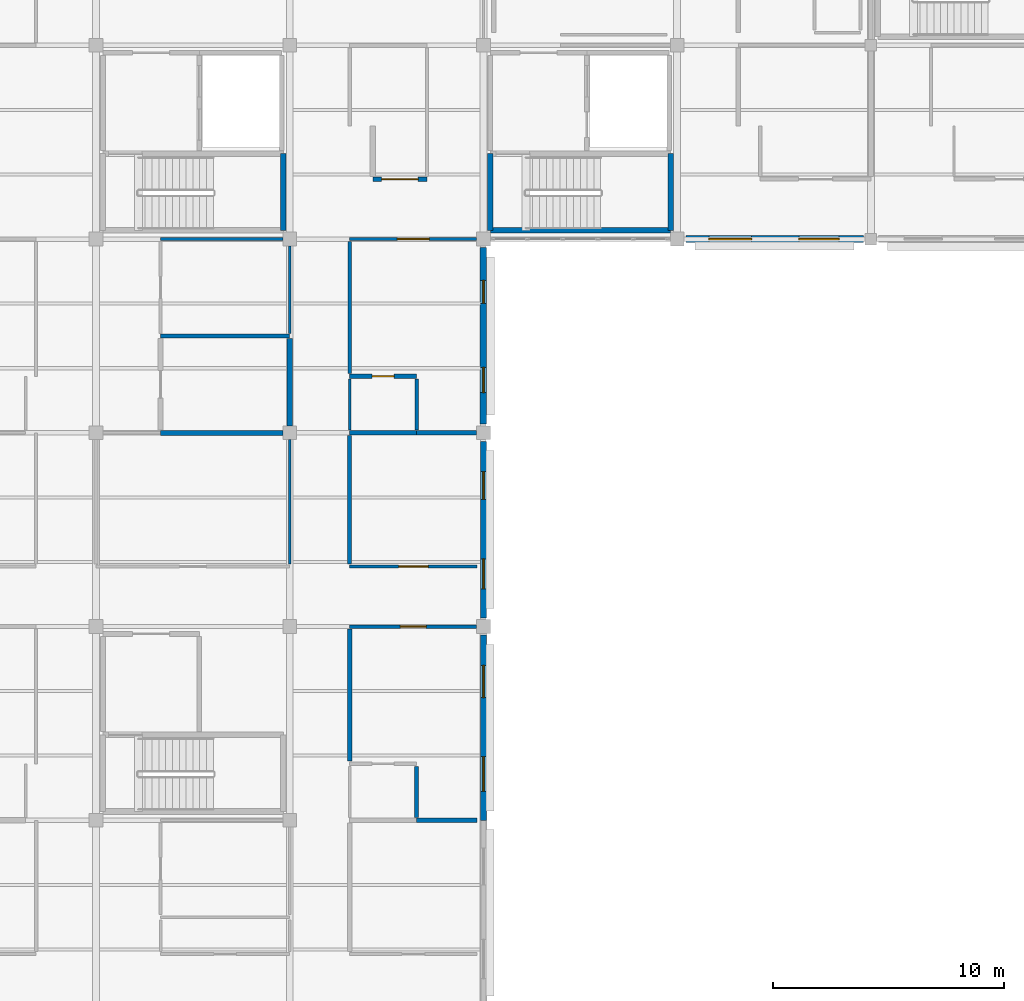
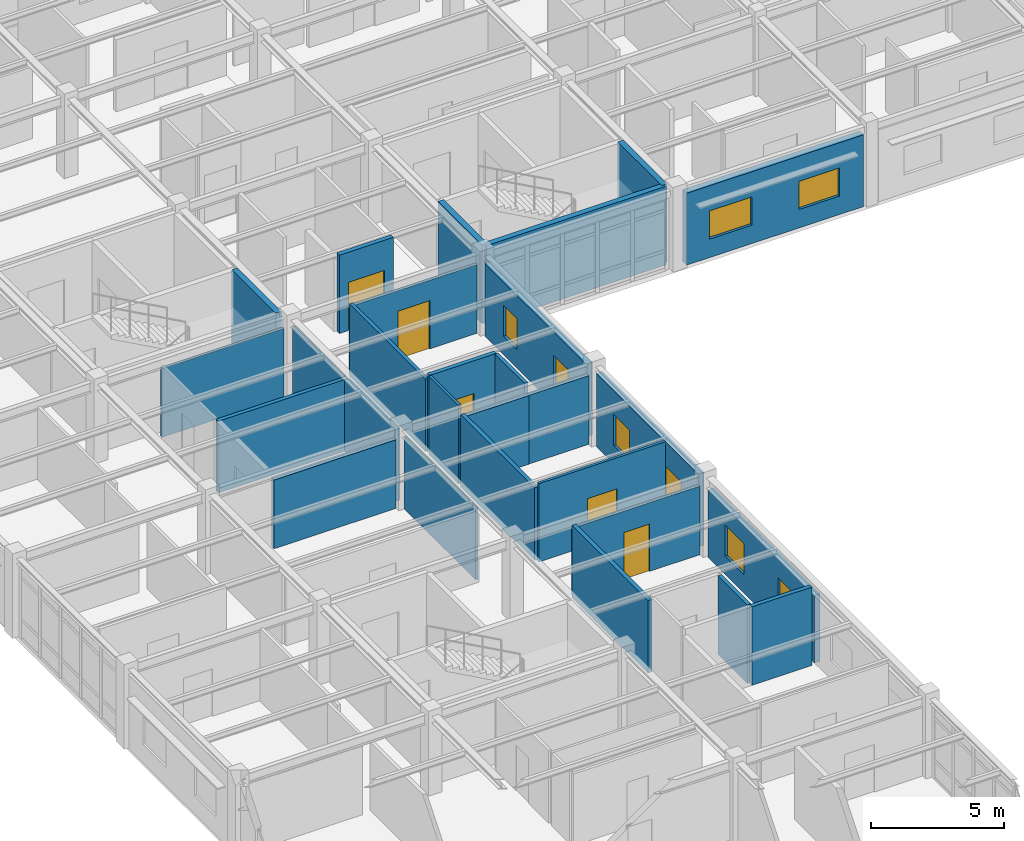
# One storey, part 55 of 70: 28 walls, 8 windows, 5 doors, 13 openings.
"""IFC4 building model written with IfcOpenShell, lengths in metres."""

from ifc_helpers import new_model, si_unit, direction, frame, frame_2d, origin, place, context, subcontext, project, spatial, rectangle, extrude, material, layer, layer_set, type_object, element, fill, save


model = new_model("IFC4")

# Units and contexts
model_context = context("Model", 3, precision=1e-05, world=origin(), true_north=direction((0.0, 1.0)))
body_context = subcontext(model_context, "Body", "Model", "MODEL_VIEW")
ifc_project = project(units=[si_unit("LENGTHUNIT", "METRE"), si_unit("AREAUNIT", "SQUARE_METRE"), si_unit("VOLUMEUNIT", "CUBIC_METRE"), si_unit("PLANEANGLEUNIT", "RADIAN"), si_unit("MASSUNIT", "GRAM", prefix="KILO")], contexts=[model_context])

# Site, building, storey
site_placement = place(None, origin())
site = spatial("IfcSite", under=ifc_project, at=site_placement, CompositionType="ELEMENT")
building_placement = place(site_placement, origin())
building = spatial("IfcBuilding", under=site, at=building_placement, Name="Bramfleet General Hospital", CompositionType="ELEMENT")
storey_placement = place(building_placement, frame((0.0, 0.0, 22.5)))
storey = spatial("IfcBuildingStorey", under=building, at=storey_placement, Name="L05", CompositionType="ELEMENT", Elevation=22.5)

# Wall, openings, windows
ifc_material_1 = material(Name="Precast concrete C40/50", Category="concrete")
ifc_layer_1 = layer(ifc_material_1, 0.294921875, Name="WT-EW-05")
ifc_layer_set_1 = layer_set([ifc_layer_1], Name="Precast concrete C40/50")
wall_type_1 = type_object("IfcWallType", Name="WT-EW-05", PredefinedType="SOLIDWALL", material=ifc_layer_set_1)
wall_1_placement = place(storey_placement, frame((134.074951171875, 92.39990234375, 0.0), z_axis=(0.0, 0.0, 1.0), x_axis=(-1.0, 0.0, 0.0)))
wall_1 = element("IfcWall", 1, at=wall_1_placement, inside=storey, type_object=wall_type_1, Name="L05 Exterior Wall 360", PredefinedType="SOLIDWALL", context=body_context, shape_type="SweptSolid", body=[
    extrude(rectangle(XDim=7.699951171875, YDim=0.294921875, at=frame_2d((3.85009765625, 0.0))), origin(), (0.0, 0.0, 1.0), 3.31005859375),
])
opening_1_placement = place(wall_1_placement, frame((1.050048828125, 0.0, 0.85009765625)))
opening_1 = element("IfcOpeningElement", 2, at=opening_1_placement, cuts=wall_1, Name="Opening W-09", PredefinedType="OPENING", context=body_context, shape_type="SweptSolid", body=[
    extrude(rectangle(XDim=1.75, YDim=1.300048828125, at=frame_2d((0.875, 0.64990234375))), frame((0.0, 0.157470703125, 0.0), z_axis=(0.0, -1.0, 0.0), x_axis=(1.0, 0.0, 0.0)), (0.0, 0.0, 1.0), 0.31494140625),
])
opening_2_placement = place(wall_1_placement, frame((4.85009765625, 0.0, 0.85009765625)))
opening_2 = element("IfcOpeningElement", 3, at=opening_2_placement, cuts=wall_1, Name="Opening W-10", PredefinedType="OPENING", context=body_context, shape_type="SweptSolid", body=[
    extrude(rectangle(XDim=1.85009765625, YDim=1.300048828125, at=frame_2d((0.925048828125, 0.64990234375))), frame((0.0, 0.157470703125, 0.0), z_axis=(0.0, -1.0, 0.0), x_axis=(1.0, 0.0, 0.0)), (0.0, 0.0, 1.0), 0.31494140625),
])
ifc_material_2 = material(Name="Anodised aluminium and low-E triple glazing", Category="aluminium")
window_type_1 = type_object("IfcWindowType", Name="WIN-W-09", PartitioningType="SINGLE_PANEL", PredefinedType="WINDOW", material=ifc_material_2)
window_1_placement = place(opening_1_placement, origin())
window_1 = element("IfcWindow", 4, at=window_1_placement, inside=storey, type_object=window_type_1, Name="L05 Facade Window WIN-L05-360-1", OverallHeight=1.300048828125, OverallWidth=1.75, PartitioningType="SINGLE_PANEL", PredefinedType="WINDOW", context=body_context, shape_type="SweptSolid", body=[
    extrude(rectangle(XDim=1.75, YDim=1.300048828125, at=frame_2d((0.875, 0.64990234375))), frame((0.0, 0.030029296875, 0.0), z_axis=(0.0, -1.0, 0.0), x_axis=(1.0, 0.0, 0.0)), (0.0, 0.0, 1.0), 0.06005859375),
])
fill(opening_1, window_1)
window_type_2 = type_object("IfcWindowType", Name="WIN-W-10", PartitioningType="SINGLE_PANEL", PredefinedType="WINDOW", material=ifc_material_2)
window_2_placement = place(opening_2_placement, origin())
window_2 = element("IfcWindow", 5, at=window_2_placement, inside=storey, type_object=window_type_2, Name="L05 Facade Window WIN-L05-360-2", OverallHeight=1.300048828125, OverallWidth=1.85009765625, PartitioningType="SINGLE_PANEL", PredefinedType="WINDOW", context=body_context, shape_type="SweptSolid", body=[
    extrude(rectangle(XDim=1.85009765625, YDim=1.300048828125, at=frame_2d((0.925048828125, 0.64990234375))), frame((0.0, 0.030029296875, 0.0), z_axis=(0.0, -1.0, 0.0), x_axis=(1.0, 0.0, 0.0)), (0.0, 0.0, 1.0), 0.06005859375),
])
fill(opening_2, window_2)

ifc_layer_2 = layer(ifc_material_1, 0.280029296875, Name="WT-EW-06")
ifc_layer_set_2 = layer_set([ifc_layer_2], Name="Precast concrete C40/50")
wall_type_2 = type_object("IfcWallType", Name="WT-EW-06", PredefinedType="SOLIDWALL", material=ifc_layer_set_2)
wall_2_placement = place(storey_placement, frame((117.60009765625, 92.02490234375, 0.0), z_axis=(0.0, 0.0, 1.0), x_axis=(0.0, -1.0, 0.0)))
wall_2 = element("IfcWall", 6, at=wall_2_placement, inside=storey, type_object=wall_type_2, Name="L05 Exterior Wall 361", PredefinedType="SOLIDWALL", context=body_context, shape_type="SweptSolid", body=[
    extrude(rectangle(XDim=7.64990234375, YDim=0.280029296875, at=frame_2d((3.824951171875, 0.0))), origin(), (0.0, 0.0, 1.0), 3.340087890625),
])
opening_3_placement = place(wall_2_placement, frame((1.41259765625, 0.0, 0.85009765625)))
opening_3 = element("IfcOpeningElement", 7, at=opening_3_placement, cuts=wall_2, Name="Opening W-11", PredefinedType="OPENING", context=body_context, shape_type="SweptSolid", body=[
    extrude(rectangle(XDim=1.0, YDim=1.419921875, at=frame_2d((0.5, 0.7099609375))), frame((0.0, 0.14990234375, 0.0), z_axis=(0.0, -1.0, 0.0), x_axis=(1.0, 0.0, 0.0)), (0.0, 0.0, 1.0), 0.300048828125),
])
opening_4_placement = place(wall_2_placement, frame((5.1875, 0.0, 0.85009765625)))
opening_4 = element("IfcOpeningElement", 8, at=opening_4_placement, cuts=wall_2, Name="Opening W-12", PredefinedType="OPENING", context=body_context, shape_type="SweptSolid", body=[
    extrude(rectangle(XDim=1.10009765625, YDim=1.419921875, at=frame_2d((0.550048828125, 0.7099609375))), frame((0.0, 0.14990234375, 0.0), z_axis=(0.0, -1.0, 0.0), x_axis=(1.0, 0.0, 0.0)), (0.0, 0.0, 1.0), 0.300048828125),
])
window_type_3 = type_object("IfcWindowType", Name="WIN-W-11", PartitioningType="SINGLE_PANEL", PredefinedType="WINDOW", material=ifc_material_2)
window_3_placement = place(opening_3_placement, origin())
window_3 = element("IfcWindow", 9, at=window_3_placement, inside=storey, type_object=window_type_3, Name="L05 Facade Window WIN-L05-361-1", OverallHeight=1.419921875, OverallWidth=1.0, PartitioningType="SINGLE_PANEL", PredefinedType="WINDOW", context=body_context, shape_type="SweptSolid", body=[
    extrude(rectangle(XDim=1.0, YDim=1.419921875, at=frame_2d((0.5, 0.7099609375))), frame((0.0, 0.030029296875, 0.0), z_axis=(0.0, -1.0, 0.0), x_axis=(1.0, 0.0, 0.0)), (0.0, 0.0, 1.0), 0.06005859375),
])
fill(opening_3, window_3)
window_type_4 = type_object("IfcWindowType", Name="WIN-W-12", PartitioningType="SINGLE_PANEL", PredefinedType="WINDOW", material=ifc_material_2)
window_4_placement = place(opening_4_placement, origin())
window_4 = element("IfcWindow", 10, at=window_4_placement, inside=storey, type_object=window_type_4, Name="L05 Facade Window WIN-L05-361-2", OverallHeight=1.419921875, OverallWidth=1.10009765625, PartitioningType="SINGLE_PANEL", PredefinedType="WINDOW", context=body_context, shape_type="SweptSolid", body=[
    extrude(rectangle(XDim=1.10009765625, YDim=1.419921875, at=frame_2d((0.550048828125, 0.7099609375))), frame((0.0, 0.030029296875, 0.0), z_axis=(0.0, -1.0, 0.0), x_axis=(1.0, 0.0, 0.0)), (0.0, 0.0, 1.0), 0.06005859375),
])
fill(opening_4, window_4)

ifc_layer_3 = layer(ifc_material_1, 0.264892578125, Name="WT-EW-07")
ifc_layer_set_3 = layer_set([ifc_layer_3], Name="Precast concrete C40/50")
wall_type_3 = type_object("IfcWallType", Name="WT-EW-07", PredefinedType="SOLIDWALL", material=ifc_layer_set_3)
wall_3_placement = place(storey_placement, frame((117.60009765625, 83.625, 0.0), z_axis=(0.0, 0.0, 1.0), x_axis=(0.0, -1.0, 0.0)))
wall_3 = element("IfcWall", 11, at=wall_3_placement, inside=storey, type_object=wall_type_3, Name="L05 Exterior Wall 362", PredefinedType="SOLIDWALL", context=body_context, shape_type="SweptSolid", body=[
    extrude(rectangle(XDim=7.64990234375, YDim=0.264892578125, at=frame_2d((3.824951171875, 0.0))), origin(), (0.0, 0.0, 1.0), 3.3798828125),
])
opening_5_placement = place(wall_3_placement, frame((1.3125, 0.0, 0.85009765625)))
opening_5 = element("IfcOpeningElement", 12, at=opening_5_placement, cuts=wall_3, Name="Opening W-13", PredefinedType="OPENING", context=body_context, shape_type="SweptSolid", body=[
    extrude(rectangle(XDim=1.199951171875, YDim=1.419921875, at=frame_2d((0.60009765625, 0.7099609375))), frame((0.0, 0.142333984375, 0.0), z_axis=(0.0, -1.0, 0.0), x_axis=(1.0, 0.0, 0.0)), (0.0, 0.0, 1.0), 0.284912109375),
])
opening_6_placement = place(wall_3_placement, frame((5.08740234375, 0.0, 0.85009765625)))
opening_6 = element("IfcOpeningElement", 13, at=opening_6_placement, cuts=wall_3, Name="Opening W-14", PredefinedType="OPENING", context=body_context, shape_type="SweptSolid", body=[
    extrude(rectangle(XDim=1.300048828125, YDim=1.419921875, at=frame_2d((0.64990234375, 0.7099609375))), frame((0.0, 0.142333984375, 0.0), z_axis=(0.0, -1.0, 0.0), x_axis=(1.0, 0.0, 0.0)), (0.0, 0.0, 1.0), 0.284912109375),
])
window_type_5 = type_object("IfcWindowType", Name="WIN-W-13", PartitioningType="SINGLE_PANEL", PredefinedType="WINDOW", material=ifc_material_2)
window_5_placement = place(opening_5_placement, origin())
window_5 = element("IfcWindow", 14, at=window_5_placement, inside=storey, type_object=window_type_5, Name="L05 Facade Window WIN-L05-362-1", OverallHeight=1.419921875, OverallWidth=1.199951171875, PartitioningType="SINGLE_PANEL", PredefinedType="WINDOW", context=body_context, shape_type="SweptSolid", body=[
    extrude(rectangle(XDim=1.199951171875, YDim=1.419921875, at=frame_2d((0.60009765625, 0.7099609375))), frame((0.0, 0.030029296875, 0.0), z_axis=(0.0, -1.0, 0.0), x_axis=(1.0, 0.0, 0.0)), (0.0, 0.0, 1.0), 0.06005859375),
])
fill(opening_5, window_5)
window_type_6 = type_object("IfcWindowType", Name="WIN-W-14", PartitioningType="SINGLE_PANEL", PredefinedType="WINDOW", material=ifc_material_2)
window_6_placement = place(opening_6_placement, origin())
window_6 = element("IfcWindow", 15, at=window_6_placement, inside=storey, type_object=window_type_6, Name="L05 Facade Window WIN-L05-362-2", OverallHeight=1.419921875, OverallWidth=1.300048828125, PartitioningType="SINGLE_PANEL", PredefinedType="WINDOW", context=body_context, shape_type="SweptSolid", body=[
    extrude(rectangle(XDim=1.300048828125, YDim=1.419921875, at=frame_2d((0.64990234375, 0.7099609375))), frame((0.0, 0.030029296875, 0.0), z_axis=(0.0, -1.0, 0.0), x_axis=(1.0, 0.0, 0.0)), (0.0, 0.0, 1.0), 0.06005859375),
])
fill(opening_6, window_6)

ifc_layer_4 = layer(ifc_material_1, 0.25, Name="WT-EW-08")
ifc_layer_set_4 = layer_set([ifc_layer_4], Name="Precast concrete C40/50")
wall_type_4 = type_object("IfcWallType", Name="WT-EW-08", PredefinedType="SOLIDWALL", material=ifc_layer_set_4)
wall_4_placement = place(storey_placement, frame((117.60009765625, 75.22509765625, 0.0), z_axis=(0.0, 0.0, 1.0), x_axis=(0.0, -1.0, 0.0)))
wall_4 = element("IfcWall", 16, at=wall_4_placement, inside=storey, type_object=wall_type_4, Name="L05 Exterior Wall 363", PredefinedType="SOLIDWALL", context=body_context, shape_type="SweptSolid", body=[
    extrude(rectangle(XDim=8.025146484375, YDim=0.25, at=frame_2d((4.0126953125, 0.0))), origin(), (0.0, 0.0, 1.0), 3.110107421875),
])
opening_7_placement = place(wall_4_placement, frame((1.30615234375, 0.0, 0.85009765625)))
opening_7 = element("IfcOpeningElement", 17, at=opening_7_placement, cuts=wall_4, Name="Opening W-15", PredefinedType="OPENING", context=body_context, shape_type="SweptSolid", body=[
    extrude(rectangle(XDim=1.39990234375, YDim=1.419921875, at=frame_2d((0.699951171875, 0.7099609375))), frame((0.0, 0.135009765625, 0.0), z_axis=(0.0, -1.0, 0.0), x_axis=(1.0, 0.0, 0.0)), (0.0, 0.0, 1.0), 0.27001953125),
])
opening_8_placement = place(wall_4_placement, frame((5.268798828125, 0.0, 0.85009765625)))
opening_8 = element("IfcOpeningElement", 18, at=opening_8_placement, cuts=wall_4, Name="Opening W-16", PredefinedType="OPENING", context=body_context, shape_type="SweptSolid", body=[
    extrude(rectangle(XDim=1.5, YDim=1.419921875, at=frame_2d((0.75, 0.7099609375))), frame((0.0, 0.135009765625, 0.0), z_axis=(0.0, -1.0, 0.0), x_axis=(1.0, 0.0, 0.0)), (0.0, 0.0, 1.0), 0.27001953125),
])
window_type_7 = type_object("IfcWindowType", Name="WIN-W-15", PartitioningType="SINGLE_PANEL", PredefinedType="WINDOW", material=ifc_material_2)
window_7_placement = place(opening_7_placement, origin())
window_7 = element("IfcWindow", 19, at=window_7_placement, inside=storey, type_object=window_type_7, Name="L05 Facade Window WIN-L05-363-1", OverallHeight=1.419921875, OverallWidth=1.39990234375, PartitioningType="SINGLE_PANEL", PredefinedType="WINDOW", context=body_context, shape_type="SweptSolid", body=[
    extrude(rectangle(XDim=1.39990234375, YDim=1.419921875, at=frame_2d((0.699951171875, 0.7099609375))), frame((0.0, 0.030029296875, 0.0), z_axis=(0.0, -1.0, 0.0), x_axis=(1.0, 0.0, 0.0)), (0.0, 0.0, 1.0), 0.06005859375),
])
fill(opening_7, window_7)
window_type_8 = type_object("IfcWindowType", Name="WIN-W-16", PartitioningType="SINGLE_PANEL", PredefinedType="WINDOW", material=ifc_material_2)
window_8_placement = place(opening_8_placement, origin())
window_8 = element("IfcWindow", 20, at=window_8_placement, inside=storey, type_object=window_type_8, Name="L05 Facade Window WIN-L05-363-2", OverallHeight=1.419921875, OverallWidth=1.5, PartitioningType="SINGLE_PANEL", PredefinedType="WINDOW", context=body_context, shape_type="SweptSolid", body=[
    extrude(rectangle(XDim=1.5, YDim=1.419921875, at=frame_2d((0.75, 0.7099609375))), frame((0.0, 0.030029296875, 0.0), z_axis=(0.0, -1.0, 0.0), x_axis=(1.0, 0.0, 0.0)), (0.0, 0.0, 1.0), 0.06005859375),
])
fill(opening_8, window_8)

# Walls
ifc_material_3 = material(Name="Concrete C35/45", Category="concrete")
ifc_layer_5 = layer(ifc_material_3, 0.219970703125, Name="WT-IW-01")
ifc_layer_set_5 = layer_set([ifc_layer_5], Name="Concrete C35/45")
wall_type_5 = type_object("IfcWallType", Name="WT-IW-01", PredefinedType="PARTITIONING", material=ifc_layer_set_5)
wall_5_placement = place(storey_placement, frame((103.60009765625, 84.0, 0.0), z_axis=(0.0, 0.0, 1.0), x_axis=(1.0, 0.0, 0.0)))
element("IfcWall", 21, at=wall_5_placement, inside=storey, type_object=wall_type_5, Name="L05 Interior Partition IW-L05-3577", PredefinedType="PARTITIONING", context=body_context, shape_type="SweptSolid", body=[
    extrude(rectangle(XDim=5.304931640625, YDim=0.219970703125, at=frame_2d((2.65234375, 0.0))), origin(), (0.0, 0.0, 1.0), 3.159912109375),
])
wall_6_placement = place(storey_placement, frame((109.199951171875, 84.294921875, 0.0), z_axis=(0.0, 0.0, 1.0), x_axis=(0.0, 1.0, 0.0)))
element("IfcWall", 22, at=wall_6_placement, inside=storey, type_object=wall_type_5, Name="L05 Interior Partition IW-L05-3745", PredefinedType="PARTITIONING", context=body_context, shape_type="SweptSolid", body=[
    extrude(rectangle(XDim=3.7900390625, YDim=0.219970703125, at=frame_2d((1.89501953125, 0.0))), origin(), (0.0, 0.0, 1.0), 3.300048828125),
])
ifc_layer_6 = layer(ifc_material_3, 0.205078125, Name="WT-IW-02")
ifc_layer_set_6 = layer_set([ifc_layer_6], Name="Concrete C35/45")
wall_type_6 = type_object("IfcWallType", Name="WT-IW-02", PredefinedType="PARTITIONING", material=ifc_layer_set_6)
wall_7_placement = place(storey_placement, frame((111.800048828125, 84.0, 0.0), z_axis=(0.0, 0.0, 1.0), x_axis=(1.0, 0.0, 0.0)))
element("IfcWall", 23, at=wall_7_placement, inside=storey, type_object=wall_type_6, Name="L05 Interior Partition IW-L05-3578", PredefinedType="PARTITIONING", context=body_context, shape_type="SweptSolid", body=[
    extrude(rectangle(XDim=2.89990234375, YDim=0.205078125, at=frame_2d((1.449951171875, 0.0))), origin(), (0.0, 0.0, 1.0), 3.159912109375),
])
ifc_layer_7 = layer(ifc_material_3, 0.18994140625, Name="WT-IW-03")
ifc_layer_set_7 = layer_set([ifc_layer_7], Name="Concrete C35/45")
wall_type_7 = type_object("IfcWallType", Name="WT-IW-03", PredefinedType="PARTITIONING", material=ifc_layer_set_7)
wall_8_placement = place(storey_placement, frame((114.699951171875, 84.0, 0.0), z_axis=(0.0, 0.0, 1.0), x_axis=(1.0, 0.0, 0.0)))
element("IfcWall", 24, at=wall_8_placement, inside=storey, type_object=wall_type_7, Name="L05 Interior Partition IW-L05-3579", PredefinedType="PARTITIONING", context=body_context, shape_type="SweptSolid", body=[
    extrude(rectangle(XDim=2.60498046875, YDim=0.18994140625, at=frame_2d((1.302490234375, 0.0))), origin(), (0.0, 0.0, 1.0), 3.159912109375),
])

# Wall, opening, door
wall_9_placement = place(storey_placement, frame((112.800048828125, 95.0, 0.0), z_axis=(0.0, 0.0, 1.0), x_axis=(1.0, 0.0, 0.0)))
wall_9 = element("IfcWall", 25, at=wall_9_placement, inside=storey, type_object=wall_type_7, Name="L05 Interior Partition IW-L05-3591", PredefinedType="PARTITIONING", context=body_context, shape_type="SweptSolid", body=[
    extrude(rectangle(XDim=2.349853515625, YDim=0.18994140625, at=frame_2d((1.1748046875, 0.0))), origin(), (0.0, 0.0, 1.0), 3.610107421875),
])
opening_9_placement = place(wall_9_placement, frame((0.385009765625, 0.0, 0.0)))
opening_9 = element("IfcOpeningElement", 26, at=opening_9_placement, cuts=wall_9, Name="Opening D1408", PredefinedType="OPENING", context=body_context, shape_type="SweptSolid", body=[
    extrude(rectangle(XDim=1.580078125, YDim=2.219970703125, at=frame_2d((0.7900390625, 1.10986328125))), frame((0.0, 0.10498046875, 0.0), z_axis=(0.0, -1.0, 0.0), x_axis=(1.0, 0.0, 0.0)), (0.0, 0.0, 1.0), 0.2099609375),
])
ifc_material_4 = material(Name="Stainless steel and acoustic timber leaf", Category="steel")
door_type_1 = type_object("IfcDoorType", Name="DR-D-32", OperationType="NOTDEFINED", PredefinedType="DOOR", material=ifc_material_4)
door_1_placement = place(opening_9_placement, origin())
door_1 = element("IfcDoor", 27, at=door_1_placement, inside=storey, type_object=door_type_1, Name="Medical and Cardiology Ward Bedroom L05-1311 Door D1408", OperationType="DOUBLE_SWING_LEFT", OverallHeight=2.219970703125, OverallWidth=1.580078125, PredefinedType="DOOR", context=body_context, shape_type="SweptSolid", body=[
    extrude(rectangle(XDim=1.580078125, YDim=2.219970703125, at=frame_2d((0.7900390625, 1.10986328125))), frame((0.0, 0.02490234375, 0.0), z_axis=(0.0, -1.0, 0.0), x_axis=(1.0, 0.0, 0.0)), (0.0, 0.0, 1.0), 0.050048828125),
])
fill(opening_9, door_1)

# Wall
ifc_layer_8 = layer(ifc_material_3, 0.179931640625, Name="WT-IW-04")
ifc_layer_set_8 = layer_set([ifc_layer_8], Name="Concrete C35/45")
wall_type_8 = type_object("IfcWallType", Name="WT-IW-04", PredefinedType="PARTITIONING", material=ifc_layer_set_8)
wall_10_placement = place(storey_placement, frame((114.699951171875, 67.199951171875, 0.0), z_axis=(0.0, 0.0, 1.0), x_axis=(1.0, 0.0, 0.0)))
element("IfcWall", 28, at=wall_10_placement, inside=storey, type_object=wall_type_8, Name="L05 Interior Partition IW-L05-3568", PredefinedType="PARTITIONING", context=body_context, shape_type="SweptSolid", body=[
    extrude(rectangle(XDim=2.6201171875, YDim=0.179931640625, at=frame_2d((1.31005859375, 0.0))), origin(), (0.0, 0.0, 1.0), 3.610107421875),
])

# Wall, opening, door
wall_11_placement = place(storey_placement, frame((111.800048828125, 86.449951171875, 0.0), z_axis=(0.0, 0.0, 1.0), x_axis=(1.0, 0.0, 0.0)))
wall_11 = element("IfcWall", 29, at=wall_11_placement, inside=storey, type_object=wall_type_8, Name="L05 Interior Partition IW-L05-3580", PredefinedType="PARTITIONING", context=body_context, shape_type="SweptSolid", body=[
    extrude(rectangle(XDim=2.89990234375, YDim=0.179931640625, at=frame_2d((1.449951171875, 0.0))), origin(), (0.0, 0.0, 1.0), 3.610107421875),
])
opening_10_placement = place(wall_11_placement, frame((0.97509765625, 0.0, 0.0)))
opening_10 = element("IfcOpeningElement", 30, at=opening_10_placement, cuts=wall_11, Name="Opening D1407", PredefinedType="OPENING", context=body_context, shape_type="SweptSolid", body=[
    extrude(rectangle(XDim=0.949951171875, YDim=2.10009765625, at=frame_2d((0.47509765625, 1.050048828125))), frame((0.0, 0.099853515625, 0.0), z_axis=(0.0, -1.0, 0.0), x_axis=(1.0, 0.0, 0.0)), (0.0, 0.0, 1.0), 0.199951171875),
])
door_type_2 = type_object("IfcDoorType", Name="DR-D-10", OperationType="NOTDEFINED", PredefinedType="DOOR", material=ifc_material_4)
door_2_placement = place(opening_10_placement, origin())
door_2 = element("IfcDoor", 31, at=door_2_placement, inside=storey, type_object=door_type_2, Name="En-Suite Bathroom L05-1310 Door D1407", OperationType="SINGLE_SWING_LEFT", OverallHeight=2.10009765625, OverallWidth=0.949951171875, PredefinedType="DOOR", context=body_context, shape_type="SweptSolid", body=[
    extrude(rectangle(XDim=0.949951171875, YDim=2.10009765625, at=frame_2d((0.47509765625, 1.050048828125))), frame((0.0, 0.02490234375, 0.0), z_axis=(0.0, -1.0, 0.0), x_axis=(1.0, 0.0, 0.0)), (0.0, 0.0, 1.0), 0.050048828125),
])
fill(opening_10, door_2)

# Walls
wall_12_placement = place(storey_placement, frame((111.800048828125, 69.764892578125, 0.0), z_axis=(0.0, 0.0, 1.0), x_axis=(0.0, 1.0, 0.0)))
element("IfcWall", 32, at=wall_12_placement, inside=storey, type_object=wall_type_8, Name="L05 Interior Partition IW-L05-3760", PredefinedType="PARTITIONING", context=body_context, shape_type="SweptSolid", body=[
    extrude(rectangle(XDim=5.72021484375, YDim=0.179931640625, at=frame_2d((2.860107421875, 0.0))), origin(), (0.0, 0.0, 1.0), 3.340087890625),
])
ifc_material_5 = material(Name="Gypsum plasterboard on acoustic steel studs", Category="steel")
ifc_layer_9 = layer(ifc_material_5, 0.169921875, Name="WT-IW-05")
ifc_layer_set_9 = layer_set([ifc_layer_9], Name="Gypsum plasterboard on acoustic steel studs")
wall_type_9 = type_object("IfcWallType", Name="WT-IW-05", PredefinedType="PARTITIONING", material=ifc_layer_set_9)
wall_13_placement = place(storey_placement, frame((103.60009765625, 88.199951171875, 0.0), z_axis=(0.0, 0.0, 1.0), x_axis=(1.0, 0.0, 0.0)))
element("IfcWall", 33, at=wall_13_placement, inside=storey, type_object=wall_type_9, Name="L05 Interior Partition IW-L05-3581", PredefinedType="PARTITIONING", context=body_context, shape_type="SweptSolid", body=[
    extrude(rectangle(XDim=5.599853515625, YDim=0.169921875, at=frame_2d((2.7998046875, 0.0))), origin(), (0.0, 0.0, 1.0), 3.300048828125),
])
wall_14_placement = place(storey_placement, frame((111.800048828125, 78.31494140625, 0.0), z_axis=(0.0, 0.0, 1.0), x_axis=(0.0, 1.0, 0.0)))
element("IfcWall", 34, at=wall_14_placement, inside=storey, type_object=wall_type_9, Name="L05 Interior Partition IW-L05-3761", PredefinedType="PARTITIONING", context=body_context, shape_type="SweptSolid", body=[
    extrude(rectangle(XDim=5.570068359375, YDim=0.169921875, at=frame_2d((2.78515625, 0.0))), origin(), (0.0, 0.0, 1.0), 3.340087890625),
])
ifc_layer_10 = layer(ifc_material_5, 0.159912109375, Name="WT-IW-06")
ifc_layer_set_10 = layer_set([ifc_layer_10], Name="Gypsum plasterboard on acoustic steel studs")
wall_type_10 = type_object("IfcWallType", Name="WT-IW-06", PredefinedType="PARTITIONING", material=ifc_layer_set_10)
wall_15_placement = place(storey_placement, frame((114.699951171875, 67.31494140625, 0.0), z_axis=(0.0, 0.0, 1.0), x_axis=(0.0, 1.0, 0.0)))
element("IfcWall", 35, at=wall_15_placement, inside=storey, type_object=wall_type_10, Name="L05 Interior Partition IW-L05-3774", PredefinedType="PARTITIONING", context=body_context, shape_type="SweptSolid", body=[
    extrude(rectangle(XDim=2.219970703125, YDim=0.159912109375, at=frame_2d((1.10986328125, 0.0))), origin(), (0.0, 0.0, 1.0), 3.610107421875),
])

# Wall, opening, door
ifc_layer_11 = layer(ifc_material_5, 0.14990234375, Name="WT-IW-07")
ifc_layer_set_11 = layer_set([ifc_layer_11], Name="Gypsum plasterboard on acoustic steel studs")
wall_type_11 = type_object("IfcWallType", Name="WT-IW-07", PredefinedType="PARTITIONING", material=ifc_layer_set_11)
wall_16_placement = place(storey_placement, frame((111.800048828125, 75.60009765625, 0.0), z_axis=(0.0, 0.0, 1.0), x_axis=(1.0, 0.0, 0.0)))
wall_16 = element("IfcWall", 36, at=wall_16_placement, inside=storey, type_object=wall_type_11, Name="L05 Interior Partition IW-L05-3571", PredefinedType="PARTITIONING", context=body_context, shape_type="SweptSolid", body=[
    extrude(rectangle(XDim=5.5048828125, YDim=0.14990234375, at=frame_2d((2.75244140625, 0.0))), origin(), (0.0, 0.0, 1.0), 3.159912109375),
])
opening_11_placement = place(wall_16_placement, frame((2.1923828125, 0.0, 0.0)))
opening_11 = element("IfcOpeningElement", 37, at=opening_11_placement, cuts=wall_16, Name="Opening D1403", PredefinedType="OPENING", context=body_context, shape_type="SweptSolid", body=[
    extrude(rectangle(XDim=1.1201171875, YDim=2.179931640625, at=frame_2d((0.56005859375, 1.08984375))), frame((0.0, 0.0849609375, 0.0), z_axis=(0.0, -1.0, 0.0), x_axis=(1.0, 0.0, 0.0)), (0.0, 0.0, 1.0), 0.169921875),
])
door_type_3 = type_object("IfcDoorType", Name="DR-D-27", OperationType="NOTDEFINED", PredefinedType="DOOR", material=ifc_material_4)
door_3_placement = place(opening_11_placement, origin())
door_3 = element("IfcDoor", 38, at=door_3_placement, inside=storey, type_object=door_type_3, Name="Medical and Cardiology Ward Bedroom L05-1308 Door D1403", OperationType="SINGLE_SWING_RIGHT", OverallHeight=2.179931640625, OverallWidth=1.1201171875, PredefinedType="DOOR", context=body_context, shape_type="SweptSolid", body=[
    extrude(rectangle(XDim=1.1201171875, YDim=2.179931640625, at=frame_2d((0.56005859375, 1.08984375))), frame((0.0, 0.02490234375, 0.0), z_axis=(0.0, -1.0, 0.0), x_axis=(1.0, 0.0, 0.0)), (0.0, 0.0, 1.0), 0.050048828125),
])
fill(opening_11, door_3)

# Walls
wall_17_placement = place(storey_placement, frame((111.800048828125, 86.56494140625, 0.0), z_axis=(0.0, 0.0, 1.0), x_axis=(0.0, 1.0, 0.0)))
element("IfcWall", 39, at=wall_17_placement, inside=storey, type_object=wall_type_11, Name="L05 Interior Partition IW-L05-3763", PredefinedType="PARTITIONING", context=body_context, shape_type="SweptSolid", body=[
    extrude(rectangle(XDim=5.719970703125, YDim=0.14990234375, at=frame_2d((2.85986328125, 0.0))), origin(), (0.0, 0.0, 1.0), 3.340087890625),
])
wall_18_placement = place(storey_placement, frame((114.699951171875, 84.114990234375, 0.0), z_axis=(0.0, 0.0, 1.0), x_axis=(0.0, 1.0, 0.0)))
element("IfcWall", 40, at=wall_18_placement, inside=storey, type_object=wall_type_11, Name="L05 Interior Partition IW-L05-3775", PredefinedType="PARTITIONING", context=body_context, shape_type="SweptSolid", body=[
    extrude(rectangle(XDim=2.219970703125, YDim=0.14990234375, at=frame_2d((1.10986328125, 0.0))), origin(), (0.0, 0.0, 1.0), 3.610107421875),
])

# Wall, opening, door
ifc_layer_12 = layer(ifc_material_5, 0.139892578125, Name="WT-IW-08")
ifc_layer_set_12 = layer_set([ifc_layer_12], Name="Gypsum plasterboard on acoustic steel studs")
wall_type_12 = type_object("IfcWallType", Name="WT-IW-08", PredefinedType="PARTITIONING", material=ifc_layer_set_12)
wall_19_placement = place(storey_placement, frame((111.800048828125, 92.39990234375, 0.0), z_axis=(0.0, 0.0, 1.0), x_axis=(1.0, 0.0, 0.0)))
wall_19 = element("IfcWall", 41, at=wall_19_placement, inside=storey, type_object=wall_type_12, Name="L05 Interior Partition IW-L05-3584", PredefinedType="PARTITIONING", context=body_context, shape_type="SweptSolid", body=[
    extrude(rectangle(XDim=5.5048828125, YDim=0.139892578125, at=frame_2d((2.75244140625, 0.0))), origin(), (0.0, 0.0, 1.0), 3.159912109375),
])
opening_12_placement = place(wall_19_placement, frame((2.0625, 0.0, 0.0)))
opening_12 = element("IfcOpeningElement", 42, at=opening_12_placement, cuts=wall_19, Name="Opening D1406", PredefinedType="OPENING", context=body_context, shape_type="SweptSolid", body=[
    extrude(rectangle(XDim=1.3798828125, YDim=2.219970703125, at=frame_2d((0.68994140625, 1.10986328125))), frame((0.0, 0.079833984375, 0.0), z_axis=(0.0, -1.0, 0.0), x_axis=(1.0, 0.0, 0.0)), (0.0, 0.0, 1.0), 0.159912109375),
])
door_type_4 = type_object("IfcDoorType", Name="DR-D-30", OperationType="NOTDEFINED", PredefinedType="DOOR", material=ifc_material_4)
door_4_placement = place(opening_12_placement, origin())
door_4 = element("IfcDoor", 43, at=door_4_placement, inside=storey, type_object=door_type_4, Name="Medical and Cardiology Ward Bedroom L05-1310 Door D1406", OperationType="SINGLE_SWING_LEFT", OverallHeight=2.219970703125, OverallWidth=1.3798828125, PredefinedType="DOOR", context=body_context, shape_type="SweptSolid", body=[
    extrude(rectangle(XDim=1.3798828125, YDim=2.219970703125, at=frame_2d((0.68994140625, 1.10986328125))), frame((0.0, 0.02490234375, 0.0), z_axis=(0.0, -1.0, 0.0), x_axis=(1.0, 0.0, 0.0)), (0.0, 0.0, 1.0), 0.050048828125),
])
fill(opening_12, door_4)

ifc_layer_13 = layer(ifc_material_5, 0.1201171875, Name="WT-IW-10")
ifc_layer_set_13 = layer_set([ifc_layer_13], Name="Gypsum plasterboard on acoustic steel studs")
wall_type_13 = type_object("IfcWallType", Name="WT-IW-10", PredefinedType="PARTITIONING", material=ifc_layer_set_13)
wall_20_placement = place(storey_placement, frame((111.800048828125, 78.199951171875, 0.0), z_axis=(0.0, 0.0, 1.0), x_axis=(1.0, 0.0, 0.0)))
wall_20 = element("IfcWall", 44, at=wall_20_placement, inside=storey, type_object=wall_type_13, Name="L05 Interior Partition IW-L05-3574", PredefinedType="PARTITIONING", context=body_context, shape_type="SweptSolid", body=[
    extrude(rectangle(XDim=5.52001953125, YDim=0.1201171875, at=frame_2d((2.760009765625, 0.0))), origin(), (0.0, 0.0, 1.0), 3.610107421875),
])
opening_13_placement = place(wall_20_placement, frame((2.1201171875, 0.0, 0.0)))
opening_13 = element("IfcOpeningElement", 45, at=opening_13_placement, cuts=wall_20, Name="Opening D1405", PredefinedType="OPENING", context=body_context, shape_type="SweptSolid", body=[
    extrude(rectangle(XDim=1.280029296875, YDim=2.179931640625, at=frame_2d((0.64013671875, 1.08984375))), frame((0.0, 0.070068359375, 0.0), z_axis=(0.0, -1.0, 0.0), x_axis=(1.0, 0.0, 0.0)), (0.0, 0.0, 1.0), 0.14013671875),
])
door_type_5 = type_object("IfcDoorType", Name="DR-D-29", OperationType="NOTDEFINED", PredefinedType="DOOR", material=ifc_material_4)
door_5_placement = place(opening_13_placement, origin())
door_5 = element("IfcDoor", 46, at=door_5_placement, inside=storey, type_object=door_type_5, Name="Medical and Cardiology Ward Bedroom L05-1309 Door D1405", OperationType="SINGLE_SWING_RIGHT", OverallHeight=2.179931640625, OverallWidth=1.280029296875, PredefinedType="DOOR", context=body_context, shape_type="SweptSolid", body=[
    extrude(rectangle(XDim=1.280029296875, YDim=2.179931640625, at=frame_2d((0.64013671875, 1.08984375))), frame((0.0, 0.02490234375, 0.0), z_axis=(0.0, -1.0, 0.0), x_axis=(1.0, 0.0, 0.0)), (0.0, 0.0, 1.0), 0.050048828125),
])
fill(opening_13, door_5)

# Walls
wall_21_placement = place(storey_placement, frame((103.60009765625, 92.39990234375, 0.0), z_axis=(0.0, 0.0, 1.0), x_axis=(1.0, 0.0, 0.0)))
element("IfcWall", 47, at=wall_21_placement, inside=storey, type_object=wall_type_13, Name="L05 Interior Partition IW-L05-3583", PredefinedType="PARTITIONING", context=body_context, shape_type="SweptSolid", body=[
    extrude(rectangle(XDim=5.304931640625, YDim=0.1201171875, at=frame_2d((2.65234375, 0.0))), origin(), (0.0, 0.0, 1.0), 3.159912109375),
])
wall_22_placement = place(storey_placement, frame((109.199951171875, 88.31494140625, 0.0), z_axis=(0.0, 0.0, 1.0), x_axis=(0.0, 1.0, 0.0)))
element("IfcWall", 48, at=wall_22_placement, inside=storey, type_object=wall_type_13, Name="L05 Interior Partition IW-L05-3746", PredefinedType="PARTITIONING", context=body_context, shape_type="SweptSolid", body=[
    extrude(rectangle(XDim=3.7900390625, YDim=0.1201171875, at=frame_2d((1.89501953125, 0.0))), origin(), (0.0, 0.0, 1.0), 3.300048828125),
])
wall_23_placement = place(storey_placement, frame((111.800048828125, 84.114990234375, 0.0), z_axis=(0.0, 0.0, 1.0), x_axis=(0.0, 1.0, 0.0)))
element("IfcWall", 49, at=wall_23_placement, inside=storey, type_object=wall_type_13, Name="L05 Interior Partition IW-L05-3762", PredefinedType="PARTITIONING", context=body_context, shape_type="SweptSolid", body=[
    extrude(rectangle(XDim=2.219970703125, YDim=0.1201171875, at=frame_2d((1.10986328125, 0.0))), origin(), (0.0, 0.0, 1.0), 3.610107421875),
])
ifc_layer_14 = layer(ifc_material_5, 0.10009765625, Name="WT-IW-12")
ifc_layer_set_14 = layer_set([ifc_layer_14], Name="Gypsum plasterboard on acoustic steel studs")
wall_type_14 = type_object("IfcWallType", Name="WT-IW-12", PredefinedType="PARTITIONING", material=ifc_layer_set_14)
wall_24_placement = place(storey_placement, frame((109.199951171875, 78.31494140625, 0.0), z_axis=(0.0, 0.0, 1.0), x_axis=(0.0, 1.0, 0.0)))
element("IfcWall", 50, at=wall_24_placement, inside=storey, type_object=wall_type_14, Name="L05 Interior Partition IW-L05-3744", PredefinedType="PARTITIONING", context=body_context, shape_type="SweptSolid", body=[
    extrude(rectangle(XDim=5.39013671875, YDim=0.10009765625, at=frame_2d((2.695068359375, 0.0))), origin(), (0.0, 0.0, 1.0), 3.300048828125),
])
ifc_material_6 = material(Name="Concrete C40/50", Category="concrete")
ifc_layer_15 = layer(ifc_material_6, 0.239990234375, Name="WT-SW-240")
ifc_layer_set_15 = layer_set([ifc_layer_15], Name="Concrete C40/50")
wall_type_15 = type_object("IfcWallType", Name="WT-SW-240", PredefinedType="SHEAR", material=ifc_layer_set_15)
wall_25_placement = place(storey_placement, frame((108.919921875, 92.780029296875, 0.0), z_axis=(0.0, 0.0, 1.0), x_axis=(0.0, 1.0, 0.0)))
element("IfcWall", 51, at=wall_25_placement, inside=storey, type_object=wall_type_15, Name="L05 C4 East Stair Shear Wall", PredefinedType="SHEAR", context=body_context, shape_type="SweptSolid", body=[
    extrude(rectangle(XDim=3.320068359375, YDim=0.239990234375, at=frame_2d((1.66015625, 0.0))), origin(), (0.0, 0.0, 1.0), 3.6201171875),
])
wall_26_placement = place(storey_placement, frame((117.89990234375, 92.780029296875, 0.0), z_axis=(0.0, 0.0, 1.0), x_axis=(1.0, 0.0, 0.0)))
element("IfcWall", 52, at=wall_26_placement, inside=storey, type_object=wall_type_15, Name="L05 C6 South Stair Shear Wall", PredefinedType="SHEAR", context=body_context, shape_type="SweptSolid", body=[
    extrude(rectangle(XDim=7.820068359375, YDim=0.239990234375, at=frame_2d((3.91015625, 0.0))), origin(), (0.0, 0.0, 1.0), 3.6201171875),
])
for number, where, z_axis, x_axis, name in (
    (53, (117.89990234375, 92.780029296875, 0.0), (0.0, 0.0, 1.0), (0.0, 1.0, 0.0), "L05 C6 West Stair Shear Wall"),
    (54, (125.719970703125, 92.780029296875, 0.0), (0.0, 0.0, 1.0), (0.0, 1.0, 0.0), "L05 C6 East Stair Shear Wall"),
):
    element("IfcWall", number, at=place(storey_placement, frame(where, z_axis=z_axis, x_axis=x_axis)), inside=storey, type_object=wall_type_15, Name=name, PredefinedType="SHEAR", context=body_context, shape_type="SweptSolid", body=[
        extrude(rectangle(XDim=3.320068359375, YDim=0.239990234375, at=frame_2d((1.66015625, 0.0))), origin(), (0.0, 0.0, 1.0), 3.6201171875),
    ])

save(model, "model.ifc")
